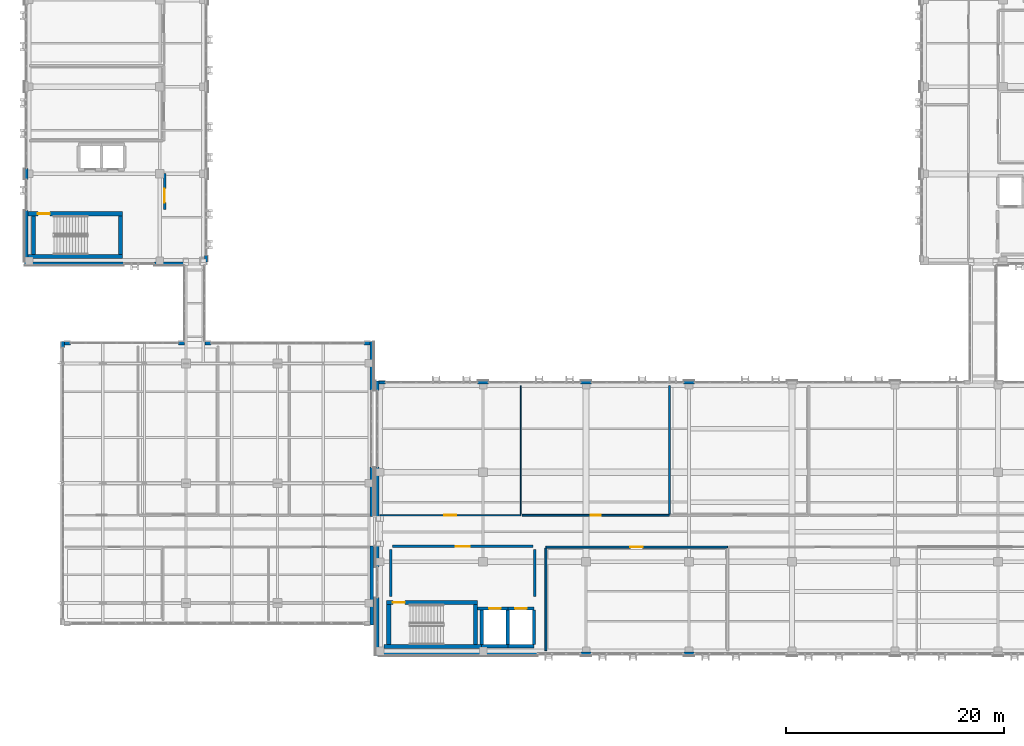
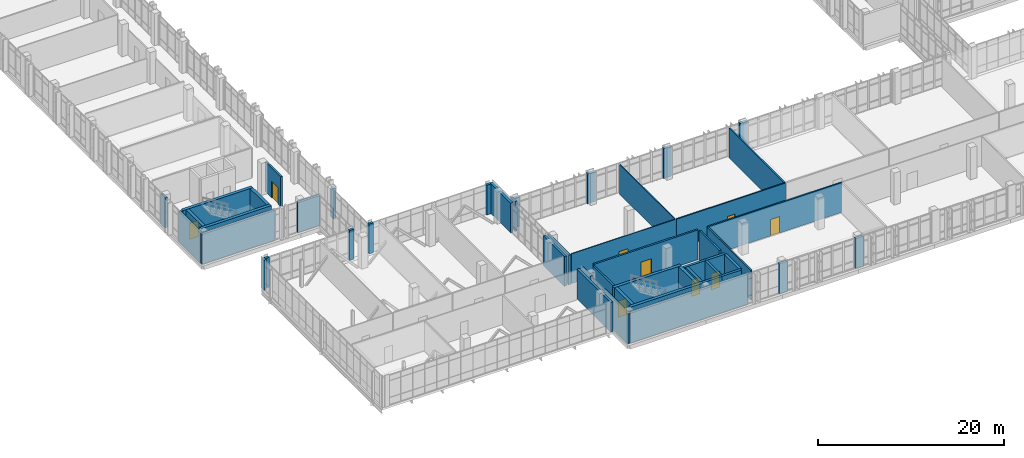
# One storey, part 133 of 165: 49 walls, 9 doors, 9 openings.
"""IFC4 building model written with IfcOpenShell, lengths in metres."""

from ifc_helpers import new_model, si_unit, direction, frame, frame_2d, origin, place, context, subcontext, project, spatial, rectangle, extrude, material, layer, layer_set, type_object, element, fill, save


model = new_model("IFC4")

# Units and contexts
model_context = context("Model", 3, precision=1e-05, world=origin(), true_north=direction((0.0, 1.0)))
body_context = subcontext(model_context, "Body", "Model", "MODEL_VIEW")
ifc_project = project(units=[si_unit("LENGTHUNIT", "METRE"), si_unit("AREAUNIT", "SQUARE_METRE"), si_unit("VOLUMEUNIT", "CUBIC_METRE"), si_unit("PLANEANGLEUNIT", "RADIAN"), si_unit("MASSUNIT", "GRAM", prefix="KILO")], contexts=[model_context])

# Site, building, storey
site_placement = place(None, origin())
site = spatial("IfcSite", under=ifc_project, at=site_placement, CompositionType="ELEMENT")
building_placement = place(site_placement, origin())
building = spatial("IfcBuilding", under=site, at=building_placement, Name="Qalavern Law Courts", CompositionType="ELEMENT")
storey_placement = place(building_placement, frame((0.0, 0.0, 14.39990234375)))
storey = spatial("IfcBuildingStorey", under=building, at=storey_placement, Name="L03", CompositionType="ELEMENT", Elevation=14.39990234375)

# Walls
ifc_material_1 = material(Name="Concrete C40/50", Category="concrete")
ifc_layer_1 = layer(ifc_material_1, 0.294921875)
ifc_layer_set_1 = layer_set([ifc_layer_1], Name="Concrete C40/50")
wall_type_1 = type_object("IfcWallType", Name="ENV-EW-295", PredefinedType="SOLIDWALL", material=ifc_layer_set_1)
wall_1_placement = place(storey_placement, frame((33.8525390625, 8.0, 0.0), z_axis=(0.0, 0.0, 1.0), x_axis=(0.0, 1.0, 0.0)))
element("IfcWall", 1, at=wall_1_placement, inside=storey, type_object=wall_type_1, Name="V1 exterior wall L03 east 1", PredefinedType="SOLIDWALL", context=body_context, shape_type="SweptSolid", body=[
    extrude(rectangle(XDim=7.25, YDim=0.294921875, at=frame_2d((3.625, 0.0))), origin(), (0.0, 0.0, 1.0), 3.920166015625),
])
wall_2_placement = place(storey_placement, frame((33.8525390625, 17.949951171875, 0.0), z_axis=(0.0, 0.0, 1.0), x_axis=(0.0, 1.0, 0.0)))
element("IfcWall", 2, at=wall_2_placement, inside=storey, type_object=wall_type_1, Name="V1 exterior pier wall L03 east 1", PredefinedType="SOLIDWALL", context=body_context, shape_type="SweptSolid", body=[
    extrude(rectangle(XDim=4.550048828125, YDim=0.294921875, at=frame_2d((2.27490234375, 0.0))), origin(), (0.0, 0.0, 1.0), 3.920166015625),
])
wall_3_placement = place(storey_placement, frame((33.8525390625, 29.5, 0.0), z_axis=(0.0, 0.0, 1.0), x_axis=(0.0, 1.0, 0.0)))
element("IfcWall", 3, at=wall_3_placement, inside=storey, type_object=wall_type_1, Name="V1 exterior pier wall L03 east 2", PredefinedType="SOLIDWALL", context=body_context, shape_type="SweptSolid", body=[
    extrude(rectangle(XDim=4.5, YDim=0.294921875, at=frame_2d((2.25, 0.0))), origin(), (0.0, 0.0, 1.0), 3.920166015625),
])
for number, where, z_axis, x_axis, name in (
    (4, (33.7099609375, 33.8525390625, 0.0), (0.0, 0.0, 1.0), (-1.0, 0.0, 0.0), "V1 exterior pier wall L03 north 1"),
    (5, (19.10009765625, 33.8525390625, 0.0), (0.0, 0.0, 1.0), (-1.0, 0.0, 0.0), "V1 exterior pier wall L03 north 2"),
):
    element("IfcWall", number, at=place(storey_placement, frame(where, z_axis=z_axis, x_axis=x_axis)), inside=storey, type_object=wall_type_1, Name=name, PredefinedType="SOLIDWALL", context=body_context, shape_type="SweptSolid", body=[
        extrude(rectangle(XDim=0.550048828125, YDim=0.294921875, at=frame_2d((0.27490234375, 0.0))), origin(), (0.0, 0.0, 1.0), 3.920166015625),
    ])
wall_4_placement = place(storey_placement, frame((16.64990234375, 33.8525390625, 0.0), z_axis=(0.0, 0.0, 1.0), x_axis=(-1.0, 0.0, 0.0)))
element("IfcWall", 6, at=wall_4_placement, inside=storey, type_object=wall_type_1, Name="V1 exterior pier wall L03 north 1", PredefinedType="SOLIDWALL", context=body_context, shape_type="SweptSolid", body=[
    extrude(rectangle(XDim=0.5498046875, YDim=0.294921875, at=frame_2d((0.27490234375, 0.0))), origin(), (0.0, 0.0, 1.0), 3.920166015625),
])
for number, where, z_axis, x_axis, name in (
    (7, (6.18994140625, 33.8525390625, 0.0), (0.0, 0.0, 1.0), (-1.0, 0.0, 0.0), "V1 exterior pier wall L03 north 2"),
    (8, (5.49755859375, 34.0, 0.0), (0.0, 0.0, 1.0), (0.0, -1.0, 0.0), "V1 exterior pier wall L03 west 1"),
):
    element("IfcWall", number, at=place(storey_placement, frame(where, z_axis=z_axis, x_axis=x_axis)), inside=storey, type_object=wall_type_1, Name=name, PredefinedType="SOLIDWALL", context=body_context, shape_type="SweptSolid", body=[
        extrude(rectangle(XDim=0.550048828125, YDim=0.294921875, at=frame_2d((0.27490234375, 0.0))), origin(), (0.0, 0.0, 1.0), 3.920166015625),
    ])
wall_5_placement = place(storey_placement, frame((34.510009765625, 5.347412109375, 0.0), z_axis=(0.0, 0.0, 1.0), x_axis=(1.0, 0.0, 0.0)))
element("IfcWall", 9, at=wall_5_placement, inside=storey, type_object=wall_type_1, Name="V2 exterior pier wall L03 south 1", PredefinedType="SOLIDWALL", context=body_context, shape_type="SweptSolid", body=[
    extrude(rectangle(XDim=14.590087890625, YDim=0.294921875, at=frame_2d((7.294921875, 0.0))), origin(), (0.0, 0.0, 1.0), 3.920166015625),
])
for number, where, z_axis, x_axis, name in (
    (10, (53.028564453125, 5.347412109375, 0.0), (0.0, 0.0, 1.0), (1.0, 0.0, 0.0), "V2 exterior pier wall L03 south 2"),
    (11, (62.48291015625, 5.347412109375, 0.0), (0.0, 0.0, 1.0), (1.0, 0.0, 0.0), "V2 exterior pier wall L03 south 3"),
    (12, (63.48291015625, 30.25244140625, 0.0), (0.0, 0.0, 1.0), (-1.0, 0.0, 0.0), "V2 exterior pier wall L03 north 4"),
    (13, (54.028564453125, 30.25244140625, 0.0), (0.0, 0.0, 1.0), (-1.0, 0.0, 0.0), "V2 exterior pier wall L03 north 5"),
    (14, (44.57421875, 30.25244140625, 0.0), (0.0, 0.0, 1.0), (-1.0, 0.0, 0.0), "V2 exterior pier wall L03 north 6"),
):
    element("IfcWall", number, at=place(storey_placement, frame(where, z_axis=z_axis, x_axis=x_axis)), inside=storey, type_object=wall_type_1, Name=name, PredefinedType="SOLIDWALL", context=body_context, shape_type="SweptSolid", body=[
        extrude(rectangle(XDim=1.0, YDim=0.294921875, at=frame_2d((0.5, 0.0))), origin(), (0.0, 0.0, 1.0), 3.920166015625),
    ])
wall_6_placement = place(storey_placement, frame((35.1201171875, 30.25244140625, 0.0), z_axis=(0.0, 0.0, 1.0), x_axis=(-1.0, 0.0, 0.0)))
element("IfcWall", 15, at=wall_6_placement, inside=storey, type_object=wall_type_1, Name="V2 exterior pier wall L03 north 7", PredefinedType="SOLIDWALL", context=body_context, shape_type="SweptSolid", body=[
    extrude(rectangle(XDim=0.610107421875, YDim=0.294921875, at=frame_2d((0.30517578125, 0.0))), origin(), (0.0, 0.0, 1.0), 3.920166015625),
])
wall_7_placement = place(storey_placement, frame((34.367431640625, 30.39990234375, 0.0), z_axis=(0.0, 0.0, 1.0), x_axis=(0.0, -1.0, 0.0)))
element("IfcWall", 16, at=wall_7_placement, inside=storey, type_object=wall_type_1, Name="V2 exterior pier wall L03 west 1", PredefinedType="SOLIDWALL", context=body_context, shape_type="SweptSolid", body=[
    extrude(rectangle(XDim=0.89990234375, YDim=0.294921875, at=frame_2d((0.449951171875, 0.0))), origin(), (0.0, 0.0, 1.0), 3.920166015625),
])
wall_8_placement = place(storey_placement, frame((34.367431640625, 22.5, 0.0), z_axis=(0.0, 0.0, 1.0), x_axis=(0.0, -1.0, 0.0)))
element("IfcWall", 17, at=wall_8_placement, inside=storey, type_object=wall_type_1, Name="V2 exterior pier wall L03 west 2", PredefinedType="SOLIDWALL", context=body_context, shape_type="SweptSolid", body=[
    extrude(rectangle(XDim=4.550048828125, YDim=0.294921875, at=frame_2d((2.27490234375, 0.0))), origin(), (0.0, 0.0, 1.0), 3.920166015625),
])
wall_9_placement = place(storey_placement, frame((34.367431640625, 15.25, 0.0), z_axis=(0.0, 0.0, 1.0), x_axis=(0.0, -1.0, 0.0)))
element("IfcWall", 18, at=wall_9_placement, inside=storey, type_object=wall_type_1, Name="V2 exterior pier wall L03 west 1", PredefinedType="SOLIDWALL", context=body_context, shape_type="SweptSolid", body=[
    extrude(rectangle(XDim=1.949951171875, YDim=0.294921875, at=frame_2d((0.97509765625, 0.0))), origin(), (0.0, 0.0, 1.0), 3.920166015625),
])
wall_10_placement = place(storey_placement, frame((34.367431640625, 10.5, 0.0), z_axis=(0.0, 0.0, 1.0), x_axis=(0.0, -1.0, 0.0)))
element("IfcWall", 19, at=wall_10_placement, inside=storey, type_object=wall_type_1, Name="V2 exterior pier wall L03 west 2", PredefinedType="SOLIDWALL", context=body_context, shape_type="SweptSolid", body=[
    extrude(rectangle(XDim=5.300048828125, YDim=0.294921875, at=frame_2d((2.64990234375, 0.0))), origin(), (0.0, 0.0, 1.0), 3.920166015625),
])
wall_11_placement = place(storey_placement, frame((2.0, 41.16748046875, 0.0), z_axis=(0.0, 0.0, 1.0), x_axis=(1.0, 0.0, 0.0)))
element("IfcWall", 20, at=wall_11_placement, inside=storey, type_object=wall_type_1, Name="V3 exterior pier wall L03 south 1", PredefinedType="SOLIDWALL", context=body_context, shape_type="SweptSolid", body=[
    extrude(rectangle(XDim=9.10009765625, YDim=0.294921875, at=frame_2d((4.550048828125, 0.0))), origin(), (0.0, 0.0, 1.0), 3.920166015625),
])
wall_12_placement = place(storey_placement, frame((13.89990234375, 41.16748046875, 0.0), z_axis=(0.0, 0.0, 1.0), x_axis=(1.0, 0.0, 0.0)))
element("IfcWall", 21, at=wall_12_placement, inside=storey, type_object=wall_type_1, Name="V3 exterior pier wall L03 south 2", PredefinedType="SOLIDWALL", context=body_context, shape_type="SweptSolid", body=[
    extrude(rectangle(XDim=2.75, YDim=0.294921875, at=frame_2d((1.375, 0.0))), origin(), (0.0, 0.0, 1.0), 3.920166015625),
])
wall_13_placement = place(storey_placement, frame((18.652587890625, 41.31005859375, 0.0), z_axis=(0.0, 0.0, 1.0), x_axis=(0.0, 1.0, 0.0)))
element("IfcWall", 22, at=wall_13_placement, inside=storey, type_object=wall_type_1, Name="V3 exterior pier wall L03 east 1", PredefinedType="SOLIDWALL", context=body_context, shape_type="SweptSolid", body=[
    extrude(rectangle(XDim=0.60986328125, YDim=0.294921875, at=frame_2d((0.304931640625, 0.0))), origin(), (0.0, 0.0, 1.0), 3.920166015625),
])
wall_14_placement = place(storey_placement, frame((2.1474609375, 49.89990234375, 0.0), z_axis=(0.0, 0.0, 1.0), x_axis=(0.0, -1.0, 0.0)))
element("IfcWall", 23, at=wall_14_placement, inside=storey, type_object=wall_type_1, Name="V3 exterior pier wall L03 west 7", PredefinedType="SOLIDWALL", context=body_context, shape_type="SweptSolid", body=[
    extrude(rectangle(XDim=1.0, YDim=0.294921875, at=frame_2d((0.5, 0.0))), origin(), (0.0, 0.0, 1.0), 3.920166015625),
])
wall_15_placement = place(storey_placement, frame((2.1474609375, 46.050048828125, 0.0), z_axis=(0.0, 0.0, 1.0), x_axis=(0.0, -1.0, 0.0)))
element("IfcWall", 24, at=wall_15_placement, inside=storey, type_object=wall_type_1, Name="V3 exterior pier wall L03 west 8", PredefinedType="SOLIDWALL", context=body_context, shape_type="SweptSolid", body=[
    extrude(rectangle(XDim=4.739990234375, YDim=0.294921875, at=frame_2d((2.3701171875, 0.0))), origin(), (0.0, 0.0, 1.0), 3.920166015625),
])
ifc_material_2 = material(Name="Concrete C45/55", Category="concrete")
ifc_layer_2 = layer(ifc_material_2, 0.375)
ifc_layer_set_2 = layer_set([ifc_layer_2], Name="Concrete C45/55")
wall_type_2 = type_object("IfcWallType", Name="INT-CW-375", PredefinedType="SHEAR", material=ifc_layer_set_2)
wall_16_placement = place(storey_placement, frame((2.298095703125, 41.8125, 0.0), z_axis=(0.0, 0.0, 1.0), x_axis=(1.0, 0.0, 0.0)))
element("IfcWall", 25, at=wall_16_placement, inside=storey, type_object=wall_type_2, Name="Core K2 stair shear wall L03 south", PredefinedType="SHEAR", context=body_context, shape_type="SweptSolid", body=[
    extrude(rectangle(XDim=8.677001953125, YDim=0.375, at=frame_2d((4.33837890625, 0.0))), origin(), (0.0, 0.0, 1.0), 4.2001953125),
])
wall_17_placement = place(storey_placement, frame((10.78759765625, 42.0, 0.0), z_axis=(0.0, 0.0, 1.0), x_axis=(0.0, 1.0, 0.0)))
element("IfcWall", 26, at=wall_17_placement, inside=storey, type_object=wall_type_2, Name="Core K2 stair shear wall L03 east", PredefinedType="SHEAR", context=body_context, shape_type="SweptSolid", body=[
    extrude(rectangle(XDim=3.550048828125, YDim=0.375, at=frame_2d((1.77490234375, 0.0))), origin(), (0.0, 0.0, 1.0), 4.2001953125),
])

# Wall, opening, door
wall_18_placement = place(storey_placement, frame((10.97509765625, 45.737548828125, 0.0), z_axis=(0.0, 0.0, 1.0), x_axis=(-1.0, 0.0, 0.0)))
wall_18 = element("IfcWall", 27, at=wall_18_placement, inside=storey, type_object=wall_type_2, Name="Core K2 stair shear wall L03 north", PredefinedType="SHEAR", context=body_context, shape_type="SweptSolid", body=[
    extrude(rectangle(XDim=8.677001953125, YDim=0.375, at=frame_2d((4.33837890625, 0.0))), origin(), (0.0, 0.0, 1.0), 4.2001953125),
])
opening_1_placement = place(wall_18_placement, frame((6.675048828125, 0.0, 0.0)))
opening_1 = element("IfcOpeningElement", 28, at=opening_1_placement, cuts=wall_18, Name="Opening L03-D059", PredefinedType="OPENING", context=body_context, shape_type="SweptSolid", body=[
    extrude(rectangle(XDim=1.10009765625, YDim=2.14990234375, at=frame_2d((0.550048828125, 1.074951171875))), frame((0.0, 0.202392578125, 0.0), z_axis=(0.0, -1.0, 0.0), x_axis=(1.0, 0.0, 0.0)), (0.0, 0.0, 1.0), 0.40478515625),
])
ifc_material_3 = material(Name="Steel fire-rated stair enclosure door", Category="steel")
door_type_1 = type_object("IfcDoorType", Name="INT-FD-1100x2150", OperationType="NOTDEFINED", PredefinedType="DOOR", material=ifc_material_3)
door_1_placement = place(opening_1_placement, frame((1.10009765625, 0.0, 0.0), z_axis=(0.0, 0.0, 1.0), x_axis=(-1.0, 0.0, 0.0)))
door_1 = element("IfcDoor", 29, at=door_1_placement, inside=storey, type_object=door_type_1, Name="Stair K2 fire door L03", OperationType="SINGLE_SWING_RIGHT", OverallHeight=2.14990234375, OverallWidth=1.10009765625, PredefinedType="DOOR", context=body_context, shape_type="SweptSolid", body=[
    extrude(rectangle(XDim=1.10009765625, YDim=2.14990234375, at=frame_2d((0.550048828125, 1.074951171875))), frame((0.0, 0.02490234375, 0.0), z_axis=(0.0, -1.0, 0.0), x_axis=(1.0, 0.0, 0.0)), (0.0, 0.0, 1.0), 0.050048828125),
])
fill(opening_1, door_1)

# Walls
wall_19_placement = place(storey_placement, frame((2.8125, 45.550048828125, 0.0), z_axis=(0.0, 0.0, 1.0), x_axis=(0.0, -1.0, 0.0)))
element("IfcWall", 30, at=wall_19_placement, inside=storey, type_object=wall_type_2, Name="Core K2 stair shear wall L03 west", PredefinedType="SHEAR", context=body_context, shape_type="SweptSolid", body=[
    extrude(rectangle(XDim=3.550048828125, YDim=0.375, at=frame_2d((1.77490234375, 0.0))), origin(), (0.0, 0.0, 1.0), 4.2001953125),
])
wall_20_placement = place(storey_placement, frame((34.972900390625, 6.012451171875, 0.0), z_axis=(0.0, 0.0, 1.0), x_axis=(1.0, 0.0, 0.0)))
element("IfcWall", 31, at=wall_20_placement, inside=storey, type_object=wall_type_2, Name="Core K4 stair shear wall L03 south", PredefinedType="SHEAR", context=body_context, shape_type="SweptSolid", body=[
    extrude(rectangle(XDim=8.9716796875, YDim=0.375, at=frame_2d((4.48583984375, 0.0))), origin(), (0.0, 0.0, 1.0), 4.2001953125),
])
wall_21_placement = place(storey_placement, frame((43.387451171875, 6.199951171875, 0.0), z_axis=(0.0, 0.0, 1.0), x_axis=(0.0, 1.0, 0.0)))
element("IfcWall", 32, at=wall_21_placement, inside=storey, type_object=wall_type_2, Name="Core K4 stair shear wall L03 east", PredefinedType="SHEAR", context=body_context, shape_type="SweptSolid", body=[
    extrude(rectangle(XDim=3.650146484375, YDim=0.375, at=frame_2d((1.8251953125, 0.0))), origin(), (0.0, 0.0, 1.0), 4.2001953125),
])

# Wall, opening, door
wall_22_placement = place(storey_placement, frame((43.574951171875, 10.03759765625, 0.0), z_axis=(0.0, 0.0, 1.0), x_axis=(-1.0, 0.0, 0.0)))
wall_22 = element("IfcWall", 33, at=wall_22_placement, inside=storey, type_object=wall_type_2, Name="Core K4 stair shear wall L03 north", PredefinedType="SHEAR", context=body_context, shape_type="SweptSolid", body=[
    extrude(rectangle(XDim=8.349853515625, YDim=0.375, at=frame_2d((4.1748046875, 0.0))), origin(), (0.0, 0.0, 1.0), 4.2001953125),
])
opening_2_placement = place(wall_22_placement, frame((6.675048828125, 0.0, 0.0)))
opening_2 = element("IfcOpeningElement", 34, at=opening_2_placement, cuts=wall_22, Name="Opening L03-D097", PredefinedType="OPENING", context=body_context, shape_type="SweptSolid", body=[
    extrude(rectangle(XDim=1.10009765625, YDim=2.14990234375, at=frame_2d((0.550048828125, 1.074951171875))), frame((0.0, 0.202392578125, 0.0), z_axis=(0.0, -1.0, 0.0), x_axis=(1.0, 0.0, 0.0)), (0.0, 0.0, 1.0), 0.40478515625),
])
door_2_placement = place(opening_2_placement, frame((1.10009765625, 0.0, 0.0), z_axis=(0.0, 0.0, 1.0), x_axis=(-1.0, 0.0, 0.0)))
door_2 = element("IfcDoor", 35, at=door_2_placement, inside=storey, type_object=door_type_1, Name="Stair K4 fire door L03", OperationType="SINGLE_SWING_LEFT", OverallHeight=2.14990234375, OverallWidth=1.10009765625, PredefinedType="DOOR", context=body_context, shape_type="SweptSolid", body=[
    extrude(rectangle(XDim=1.10009765625, YDim=2.14990234375, at=frame_2d((0.550048828125, 1.074951171875))), frame((0.0, 0.02490234375, 0.0), z_axis=(0.0, -1.0, 0.0), x_axis=(1.0, 0.0, 0.0)), (0.0, 0.0, 1.0), 0.050048828125),
])
fill(opening_2, door_2)

# Wall
wall_23_placement = place(storey_placement, frame((35.41259765625, 9.85009765625, 0.0), z_axis=(0.0, 0.0, 1.0), x_axis=(0.0, -1.0, 0.0)))
element("IfcWall", 36, at=wall_23_placement, inside=storey, type_object=wall_type_2, Name="Core K4 stair shear wall L03 west", PredefinedType="SHEAR", context=body_context, shape_type="SweptSolid", body=[
    extrude(rectangle(XDim=3.650146484375, YDim=0.375, at=frame_2d((1.8251953125, 0.0))), origin(), (0.0, 0.0, 1.0), 4.2001953125),
])

# Wall, opening, door
ifc_layer_3 = layer(ifc_material_1, 0.22509765625)
ifc_layer_set_3 = layer_set([ifc_layer_3], Name="Concrete C40/50")
wall_type_3 = type_object("IfcWallType", Name="INT-FW-225", PredefinedType="PARTITIONING", material=ifc_layer_set_3)
wall_24_placement = place(storey_placement, frame((14.85009765625, 46.14990234375, 0.0), z_axis=(0.0, 0.0, 1.0), x_axis=(0.0, 1.0, 0.0)))
wall_24 = element("IfcWall", 37, at=wall_24_placement, inside=storey, type_object=wall_type_3, Name="Core K2 firefighting/stair lobby fire wall L03", PredefinedType="PARTITIONING", context=body_context, shape_type="SweptSolid", body=[
    extrude(rectangle(XDim=3.300048828125, YDim=0.22509765625, at=frame_2d((1.64990234375, 0.0))), origin(), (0.0, 0.0, 1.0), 3.920166015625),
])
opening_3_placement = place(wall_24_placement, frame((0.60009765625, 0.0, 0.0)))
opening_3 = element("IfcOpeningElement", 38, at=opening_3_placement, cuts=wall_24, Name="Opening L03-D060", PredefinedType="OPENING", context=body_context, shape_type="SweptSolid", body=[
    extrude(rectangle(XDim=1.300048828125, YDim=2.14990234375, at=frame_2d((0.64990234375, 1.074951171875))), frame((0.0, 0.12744140625, 0.0), z_axis=(0.0, -1.0, 0.0), x_axis=(1.0, 0.0, 0.0)), (0.0, 0.0, 1.0), 0.2548828125),
])
ifc_material_4 = material(Name="Steel fire-rated frame and acoustic timber leaves", Category="steel")
door_type_2 = type_object("IfcDoorType", Name="INT-FD-1300x2150", OperationType="DOUBLE_DOOR_SINGLE_SWING", PredefinedType="DOOR", material=ifc_material_4)
door_3_placement = place(opening_3_placement, origin())
door_3 = element("IfcDoor", 39, at=door_3_placement, inside=storey, type_object=door_type_2, Name="Core K2 lobby fire door L03", OperationType="DOUBLE_DOOR_SINGLE_SWING", OverallHeight=2.14990234375, OverallWidth=1.300048828125, PredefinedType="DOOR", context=body_context, shape_type="SweptSolid", body=[
    extrude(rectangle(XDim=1.300048828125, YDim=2.14990234375, at=frame_2d((0.64990234375, 1.074951171875))), frame((0.0, 0.02490234375, 0.0), z_axis=(0.0, -1.0, 0.0), x_axis=(1.0, 0.0, 0.0)), (0.0, 0.0, 1.0), 0.050048828125),
])
fill(opening_3, door_3)

wall_25_placement = place(storey_placement, frame((35.75, 15.199951171875, 0.0), z_axis=(0.0, 0.0, 1.0), x_axis=(1.0, 0.0, 0.0)))
wall_25 = element("IfcWall", 40, at=wall_25_placement, inside=storey, type_object=wall_type_3, Name="Core K4 firefighting/stair lobby fire wall L03", PredefinedType="PARTITIONING", context=body_context, shape_type="SweptSolid", body=[
    extrude(rectangle(XDim=12.89990234375, YDim=0.22509765625, at=frame_2d((6.449951171875, 0.0))), origin(), (0.0, 0.0, 1.0), 3.920166015625),
])
opening_4_placement = place(wall_25_placement, frame((5.800048828125, 0.0, 0.0)))
opening_4 = element("IfcOpeningElement", 41, at=opening_4_placement, cuts=wall_25, Name="Opening L03-D098", PredefinedType="OPENING", context=body_context, shape_type="SweptSolid", body=[
    extrude(rectangle(XDim=1.300048828125, YDim=2.14990234375, at=frame_2d((0.64990234375, 1.074951171875))), frame((0.0, 0.12744140625, 0.0), z_axis=(0.0, -1.0, 0.0), x_axis=(1.0, 0.0, 0.0)), (0.0, 0.0, 1.0), 0.2548828125),
])
door_4_placement = place(opening_4_placement, origin())
door_4 = element("IfcDoor", 42, at=door_4_placement, inside=storey, type_object=door_type_2, Name="Core K4 lobby fire door L03", OperationType="DOUBLE_DOOR_SINGLE_SWING", OverallHeight=2.14990234375, OverallWidth=1.300048828125, PredefinedType="DOOR", context=body_context, shape_type="SweptSolid", body=[
    extrude(rectangle(XDim=1.300048828125, YDim=2.14990234375, at=frame_2d((0.64990234375, 1.074951171875))), frame((0.0, 0.02490234375, 0.0), z_axis=(0.0, -1.0, 0.0), x_axis=(1.0, 0.0, 0.0)), (0.0, 0.0, 1.0), 0.050048828125),
])
fill(opening_4, door_4)

# Walls
for number, where, z_axis, x_axis, name in (
    (43, (35.60009765625, 10.60009765625, 0.0), (0.0, 0.0, 1.0), (0.0, 1.0, 0.0), "Core K4 lobby return wall L03 west"),
    (44, (48.800048828125, 10.60009765625, 0.0), (0.0, 0.0, 1.0), (0.0, 1.0, 0.0), "Core K4 lobby return wall L03 east"),
):
    element("IfcWall", number, at=place(storey_placement, frame(where, z_axis=z_axis, x_axis=x_axis)), inside=storey, type_object=wall_type_3, Name=name, PredefinedType="PARTITIONING", context=body_context, shape_type="SweptSolid", body=[
        extrude(rectangle(XDim=4.2998046875, YDim=0.22509765625, at=frame_2d((2.14990234375, 0.0))), origin(), (0.0, 0.0, 1.0), 3.920166015625),
    ])

# Wall, opening, door
ifc_material_5 = material(Name="Gypsum sanitary partition")
ifc_layer_4 = layer(ifc_material_5, 0.10205078125)
ifc_layer_set_4 = layer_set([ifc_layer_4], Name="Gypsum sanitary partition")
wall_type_4 = type_object("IfcWallType", Name="INT-PW-102", PredefinedType="PARTITIONING", material=ifc_layer_set_4)
wall_26_placement = place(storey_placement, frame((34.60009765625, 18.06005859375, 0.0), z_axis=(0.0, 0.0, 1.0), x_axis=(1.0, 0.0, 0.0)))
wall_26 = element("IfcWall", 45, at=wall_26_placement, inside=storey, type_object=wall_type_4, Name="Jury Deliberation Suite corridor partition L03", PredefinedType="PARTITIONING", context=body_context, shape_type="SweptSolid", body=[
    extrude(rectangle(XDim=12.94482421875, YDim=0.10205078125, at=frame_2d((6.472412109375, 0.0))), origin(), (0.0, 0.0, 1.0), 3.920166015625),
])
opening_5_placement = place(wall_26_placement, frame((5.91259765625, 0.0, 0.0)))
opening_5 = element("IfcOpeningElement", 46, at=opening_5_placement, cuts=wall_26, Name="Opening L03-D183", PredefinedType="OPENING", context=body_context, shape_type="SweptSolid", body=[
    extrude(rectangle(XDim=1.1201171875, YDim=2.139892578125, at=frame_2d((0.56005859375, 1.06982421875))), frame((0.0, 0.06591796875, 0.0), z_axis=(0.0, -1.0, 0.0), x_axis=(1.0, 0.0, 0.0)), (0.0, 0.0, 1.0), 0.1318359375),
])
ifc_material_6 = material(Name="Solid oak Appellate Chambers door")
door_type_3 = type_object("IfcDoorType", Name="INT-ID-1120x2140", OperationType="NOTDEFINED", PredefinedType="DOOR", material=ifc_material_6)
door_5_placement = place(opening_5_placement, origin())
door_5 = element("IfcDoor", 47, at=door_5_placement, inside=storey, type_object=door_type_3, Name="Jury Deliberation Suite door L03", OperationType="SINGLE_SWING_LEFT", OverallHeight=2.139892578125, OverallWidth=1.1201171875, PredefinedType="DOOR", context=body_context, shape_type="SweptSolid", body=[
    extrude(rectangle(XDim=1.1201171875, YDim=2.139892578125, at=frame_2d((0.56005859375, 1.06982421875))), frame((0.0, 0.02490234375, 0.0), z_axis=(0.0, -1.0, 0.0), x_axis=(1.0, 0.0, 0.0)), (0.0, 0.0, 1.0), 0.050048828125),
])
fill(opening_5, door_5)

# Wall
wall_27_placement = place(storey_placement, frame((47.544921875, 18.131103515625, 0.0), z_axis=(0.0, 0.0, 1.0), x_axis=(0.0, 1.0, 0.0)))
element("IfcWall", 48, at=wall_27_placement, inside=storey, type_object=wall_type_4, Name="Jury Deliberation Suite cross partition L03 east", PredefinedType="PARTITIONING", context=body_context, shape_type="SweptSolid", body=[
    extrude(rectangle(XDim=11.828857421875, YDim=0.10205078125, at=frame_2d((5.91455078125, 0.0))), origin(), (0.0, 0.0, 1.0), 3.920166015625),
])

# Wall, opening, door
ifc_material_7 = material(Name="Gypsum stud partition")
ifc_layer_5 = layer(ifc_material_7, 0.162109375)
ifc_layer_set_5 = layer_set([ifc_layer_5], Name="Gypsum stud partition")
wall_type_5 = type_object("IfcWallType", Name="INT-PW-162", PredefinedType="PARTITIONING", material=ifc_layer_set_5)
wall_28_placement = place(storey_placement, frame((47.6650390625, 18.06005859375, 0.0), z_axis=(0.0, 0.0, 1.0), x_axis=(1.0, 0.0, 0.0)))
wall_28 = element("IfcWall", 49, at=wall_28_placement, inside=storey, type_object=wall_type_5, Name="Accessible WC corridor partition L03", PredefinedType="PARTITIONING", context=body_context, shape_type="SweptSolid", body=[
    extrude(rectangle(XDim=13.512939453125, YDim=0.162109375, at=frame_2d((6.75634765625, 0.0))), origin(), (0.0, 0.0, 1.0), 3.920166015625),
])
opening_6_placement = place(wall_28_placement, frame((6.29638671875, 0.0, 0.0)))
opening_6 = element("IfcOpeningElement", 50, at=opening_6_placement, cuts=wall_28, Name="Opening L03-D184", PredefinedType="OPENING", context=body_context, shape_type="SweptSolid", body=[
    extrude(rectangle(XDim=0.919921875, YDim=2.06005859375, at=frame_2d((0.4599609375, 1.030029296875))), frame((0.0, 0.095947265625, 0.0), z_axis=(0.0, -1.0, 0.0), x_axis=(1.0, 0.0, 0.0)), (0.0, 0.0, 1.0), 0.19189453125),
])
ifc_material_8 = material(Name="Public and Staff WC door")
door_type_4 = type_object("IfcDoorType", Name="INT-ID-920x2060", OperationType="NOTDEFINED", PredefinedType="DOOR", material=ifc_material_8)
door_6_placement = place(opening_6_placement, origin())
door_6 = element("IfcDoor", 51, at=door_6_placement, inside=storey, type_object=door_type_4, Name="Accessible WC door L03", OperationType="SINGLE_SWING_RIGHT", OverallHeight=2.06005859375, OverallWidth=0.919921875, PredefinedType="DOOR", context=body_context, shape_type="SweptSolid", body=[
    extrude(rectangle(XDim=0.919921875, YDim=2.06005859375, at=frame_2d((0.4599609375, 1.030029296875))), frame((0.0, 0.02490234375, 0.0), z_axis=(0.0, -1.0, 0.0), x_axis=(1.0, 0.0, 0.0)), (0.0, 0.0, 1.0), 0.050048828125),
])
fill(opening_6, door_6)

# Wall
wall_29_placement = place(storey_placement, frame((61.177978515625, 18.160888671875, 0.0), z_axis=(0.0, 0.0, 1.0), x_axis=(0.0, 1.0, 0.0)))
element("IfcWall", 52, at=wall_29_placement, inside=storey, type_object=wall_type_5, Name="Accessible WC cross partition L03 east", PredefinedType="PARTITIONING", context=body_context, shape_type="SweptSolid", body=[
    extrude(rectangle(XDim=11.799072265625, YDim=0.162109375, at=frame_2d((5.8994140625, 0.0))), origin(), (0.0, 0.0, 1.0), 3.920166015625),
])

# Wall, opening, door
ifc_material_9 = material(Name="Gypsum acoustic stud partition")
ifc_layer_6 = layer(ifc_material_9, 0.174072265625)
ifc_layer_set_6 = layer_set([ifc_layer_6], Name="Gypsum acoustic stud partition")
wall_type_6 = type_object("IfcWallType", Name="INT-PW-174", PredefinedType="PARTITIONING", material=ifc_layer_set_6)
wall_30_placement = place(storey_placement, frame((49.840087890625, 15.139892578125, 0.0), z_axis=(0.0, 0.0, 1.0), x_axis=(1.0, 0.0, 0.0)))
wall_30 = element("IfcWall", 53, at=wall_30_placement, inside=storey, type_object=wall_type_6, Name="Ceremonial Courtroom corridor partition L03", PredefinedType="PARTITIONING", context=body_context, shape_type="SweptSolid", body=[
    extrude(rectangle(XDim=16.677978515625, YDim=0.174072265625, at=frame_2d((8.3388671875, 0.0))), origin(), (0.0, 0.0, 1.0), 3.920166015625),
])
opening_7_placement = place(wall_30_placement, frame((7.763916015625, 0.0, 0.0)))
opening_7 = element("IfcOpeningElement", 54, at=opening_7_placement, cuts=wall_30, Name="Opening L03-D180", PredefinedType="OPENING", context=body_context, shape_type="SweptSolid", body=[
    extrude(rectangle(XDim=1.14990234375, YDim=2.14990234375, at=frame_2d((0.574951171875, 1.074951171875))), frame((0.0, 0.10205078125, 0.0), z_axis=(0.0, -1.0, 0.0), x_axis=(1.0, 0.0, 0.0)), (0.0, 0.0, 1.0), 0.203857421875),
])
ifc_material_10 = material(Name="Acoustic oak Witness Waiting door")
door_type_5 = type_object("IfcDoorType", Name="INT-ID-1150x2150", OperationType="NOTDEFINED", PredefinedType="DOOR", material=ifc_material_10)
door_7_placement = place(opening_7_placement, frame((1.14990234375, 0.0, 0.0), z_axis=(0.0, 0.0, 1.0), x_axis=(-1.0, 0.0, 0.0)))
door_7 = element("IfcDoor", 55, at=door_7_placement, inside=storey, type_object=door_type_5, Name="Ceremonial Courtroom door L03", OperationType="SINGLE_SWING_RIGHT", OverallHeight=2.14990234375, OverallWidth=1.14990234375, PredefinedType="DOOR", context=body_context, shape_type="SweptSolid", body=[
    extrude(rectangle(XDim=1.14990234375, YDim=2.14990234375, at=frame_2d((0.574951171875, 1.074951171875))), frame((0.0, 0.02490234375, 0.0), z_axis=(0.0, -1.0, 0.0), x_axis=(1.0, 0.0, 0.0)), (0.0, 0.0, 1.0), 0.050048828125),
])
fill(opening_7, door_7)

# Walls
wall_31_placement = place(storey_placement, frame((49.840087890625, 5.639892578125, 0.0), z_axis=(0.0, 0.0, 1.0), x_axis=(0.0, 1.0, 0.0)))
element("IfcWall", 56, at=wall_31_placement, inside=storey, type_object=wall_type_6, Name="Ceremonial Courtroom cross partition L03 west", PredefinedType="PARTITIONING", context=body_context, shape_type="SweptSolid", body=[
    extrude(rectangle(XDim=9.39306640625, YDim=0.174072265625, at=frame_2d((4.696533203125, 0.0))), origin(), (0.0, 0.0, 1.0), 3.920166015625),
])
ifc_layer_7 = layer(ifc_material_2, 0.304931640625)
ifc_layer_set_7 = layer_set([ifc_layer_7], Name="Concrete C45/55")
wall_type_7 = type_object("IfcWallType", Name="INT-SW-305", PredefinedType="SHEAR", material=ifc_layer_set_7)
wall_32_placement = place(storey_placement, frame((43.947509765625, 6.047607421875, 0.0), z_axis=(0.0, 0.0, 1.0), x_axis=(1.0, 0.0, 0.0)))
element("IfcWall", 57, at=wall_32_placement, inside=storey, type_object=wall_type_7, Name="Lift LF-P3 shaft wall L03 south", PredefinedType="SHEAR", context=body_context, shape_type="SweptSolid", body=[
    extrude(rectangle(XDim=2.405029296875, YDim=0.304931640625, at=frame_2d((1.20263671875, 0.0))), origin(), (0.0, 0.0, 1.0), 4.2001953125),
])
wall_33_placement = place(storey_placement, frame((46.3525390625, 6.199951171875, 0.0), z_axis=(0.0, 0.0, 1.0), x_axis=(0.0, 1.0, 0.0)))
element("IfcWall", 58, at=wall_33_placement, inside=storey, type_object=wall_type_7, Name="Lift LF-P3 shaft wall L03 east", PredefinedType="SHEAR", context=body_context, shape_type="SweptSolid", body=[
    extrude(rectangle(XDim=3.150146484375, YDim=0.304931640625, at=frame_2d((1.5751953125, 0.0))), origin(), (0.0, 0.0, 1.0), 4.2001953125),
])

# Wall, opening, door
wall_34_placement = place(storey_placement, frame((46.3525390625, 9.50244140625, 0.0), z_axis=(0.0, 0.0, 1.0), x_axis=(-1.0, 0.0, 0.0)))
wall_34 = element("IfcWall", 59, at=wall_34_placement, inside=storey, type_object=wall_type_7, Name="Lift LF-P3 shaft wall L03 north", PredefinedType="SHEAR", context=body_context, shape_type="SweptSolid", body=[
    extrude(rectangle(XDim=2.774658203125, YDim=0.304931640625, at=frame_2d((1.38720703125, 0.0))), origin(), (0.0, 0.0, 1.0), 4.2001953125),
])
opening_8_placement = place(wall_34_placement, frame((0.677490234375, 0.0, 0.0)))
opening_8 = element("IfcOpeningElement", 60, at=opening_8_placement, cuts=wall_34, Name="Opening LD-LF-P3-L03", PredefinedType="OPENING", context=body_context, shape_type="SweptSolid", body=[
    extrude(rectangle(XDim=1.050048828125, YDim=2.14990234375, at=frame_2d((0.52490234375, 1.074951171875))), frame((0.0, 0.16748046875, 0.0), z_axis=(0.0, -1.0, 0.0), x_axis=(1.0, 0.0, 0.0)), (0.0, 0.0, 1.0), 0.334716796875),
])
ifc_material_11 = material(Name="Brushed stainless steel passenger lift sliding landing door", Category="steel")
door_type_6 = type_object("IfcDoorType", Name="INT-LD-1050x2150", OperationType="DOUBLE_DOOR_SLIDING", PredefinedType="DOOR", material=ifc_material_11)
door_8_placement = place(opening_8_placement, origin())
door_8 = element("IfcDoor", 61, at=door_8_placement, inside=storey, type_object=door_type_6, Name="Lift LF-P3 sliding landing door L03", OperationType="DOUBLE_DOOR_SLIDING", OverallHeight=2.14990234375, OverallWidth=1.050048828125, PredefinedType="DOOR", context=body_context, shape_type="SweptSolid", body=[
    extrude(rectangle(XDim=1.050048828125, YDim=2.14990234375, at=frame_2d((0.52490234375, 1.074951171875))), frame((0.0, 0.02490234375, 0.0), z_axis=(0.0, -1.0, 0.0), x_axis=(1.0, 0.0, 0.0)), (0.0, 0.0, 1.0), 0.050048828125),
])
fill(opening_8, door_8)

# Walls
wall_35_placement = place(storey_placement, frame((43.947509765625, 9.35009765625, 0.0), z_axis=(0.0, 0.0, 1.0), x_axis=(0.0, -1.0, 0.0)))
element("IfcWall", 62, at=wall_35_placement, inside=storey, type_object=wall_type_7, Name="Lift LF-P3 shaft wall L03 west", PredefinedType="SHEAR", context=body_context, shape_type="SweptSolid", body=[
    extrude(rectangle(XDim=3.150146484375, YDim=0.304931640625, at=frame_2d((1.5751953125, 0.0))), origin(), (0.0, 0.0, 1.0), 4.2001953125),
])
wall_36_placement = place(storey_placement, frame((46.347412109375, 6.047607421875, 0.0), z_axis=(0.0, 0.0, 1.0), x_axis=(1.0, 0.0, 0.0)))
element("IfcWall", 63, at=wall_36_placement, inside=storey, type_object=wall_type_7, Name="Lift LF-P4 shaft wall L03 south", PredefinedType="SHEAR", context=body_context, shape_type="SweptSolid", body=[
    extrude(rectangle(XDim=2.405029296875, YDim=0.304931640625, at=frame_2d((1.20263671875, 0.0))), origin(), (0.0, 0.0, 1.0), 4.2001953125),
])
wall_37_placement = place(storey_placement, frame((48.75244140625, 6.199951171875, 0.0), z_axis=(0.0, 0.0, 1.0), x_axis=(0.0, 1.0, 0.0)))
element("IfcWall", 64, at=wall_37_placement, inside=storey, type_object=wall_type_7, Name="Lift LF-P4 shaft wall L03 east", PredefinedType="SHEAR", context=body_context, shape_type="SweptSolid", body=[
    extrude(rectangle(XDim=3.150146484375, YDim=0.304931640625, at=frame_2d((1.5751953125, 0.0))), origin(), (0.0, 0.0, 1.0), 4.2001953125),
])

# Wall, opening, door
wall_38_placement = place(storey_placement, frame((48.75244140625, 9.50244140625, 0.0), z_axis=(0.0, 0.0, 1.0), x_axis=(-1.0, 0.0, 0.0)))
wall_38 = element("IfcWall", 65, at=wall_38_placement, inside=storey, type_object=wall_type_7, Name="Lift LF-P4 shaft wall L03 north", PredefinedType="SHEAR", context=body_context, shape_type="SweptSolid", body=[
    extrude(rectangle(XDim=2.405029296875, YDim=0.304931640625, at=frame_2d((1.20263671875, 0.0))), origin(), (0.0, 0.0, 1.0), 4.2001953125),
])
opening_9_placement = place(wall_38_placement, frame((0.677490234375, 0.0, 0.0)))
opening_9 = element("IfcOpeningElement", 66, at=opening_9_placement, cuts=wall_38, Name="Opening LD-LF-P4-L03", PredefinedType="OPENING", context=body_context, shape_type="SweptSolid", body=[
    extrude(rectangle(XDim=1.050048828125, YDim=2.14990234375, at=frame_2d((0.52490234375, 1.074951171875))), frame((0.0, 0.16748046875, 0.0), z_axis=(0.0, -1.0, 0.0), x_axis=(1.0, 0.0, 0.0)), (0.0, 0.0, 1.0), 0.334716796875),
])
door_9_placement = place(opening_9_placement, origin())
door_9 = element("IfcDoor", 67, at=door_9_placement, inside=storey, type_object=door_type_6, Name="Lift LF-P4 sliding landing door L03", OperationType="DOUBLE_DOOR_SLIDING", OverallHeight=2.14990234375, OverallWidth=1.050048828125, PredefinedType="DOOR", context=body_context, shape_type="SweptSolid", body=[
    extrude(rectangle(XDim=1.050048828125, YDim=2.14990234375, at=frame_2d((0.52490234375, 1.074951171875))), frame((0.0, 0.02490234375, 0.0), z_axis=(0.0, -1.0, 0.0), x_axis=(1.0, 0.0, 0.0)), (0.0, 0.0, 1.0), 0.050048828125),
])
fill(opening_9, door_9)

save(model, "model.ifc")
